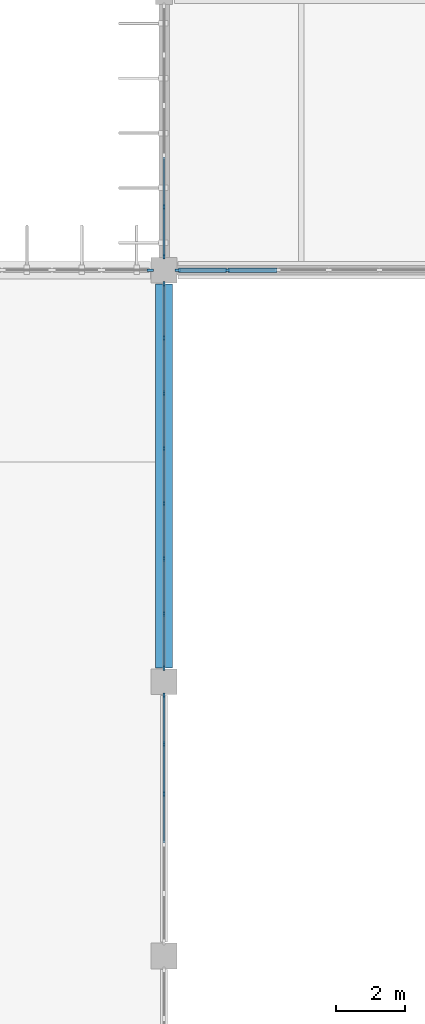
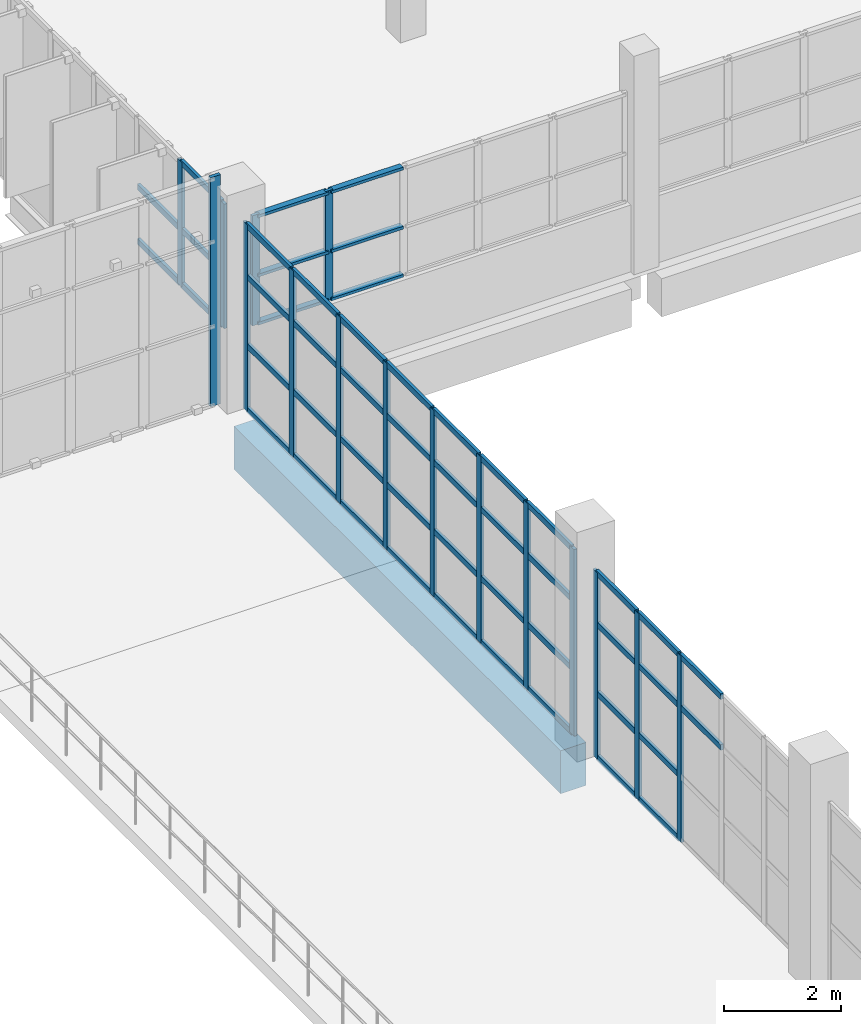
# One storey, part 31 of 93: 65 members, 1 beam, 5 elements without a shape of their own.
"""IFC4 building model written with IfcOpenShell, lengths in metres."""

import ifcopenshell
import ifcopenshell.guid

model = None  # the IFC model being written
_history = None  # IfcOwnerHistory: only IFC2X3 demands one
_inside = {}  # id of a spatial element -> (the spatial element, [elements in it])
_under = {}  # id of a project, library or spatial element -> (it, [spatial elements below it])
_declared = {}  # id of a project -> (the project, [libraries it declares])
_typed = {}  # id of a type object -> (the type object, [elements of that type])
_made_of = {}  # id of a material, layer set ... -> (it, [elements and type objects made of it])


def new_model(schema):
    """Start an empty IFC model of exactly this schema.

    Asked for "IFC4X3", IfcOpenShell would pick the latest addendum, in which some entities
    have other attributes; the version numbers below select the first issue.
    IFC2X3 requires an IfcOwnerHistory on every rooted entity: one is made here for all.
    """
    global model, _history
    if schema == "IFC4X3":
        model = ifcopenshell.file(schema_version=(4, 3, 0, 0))
    else:
        model = ifcopenshell.file(schema=schema)
    _inside.clear()
    _under.clear()
    _declared.clear()
    _typed.clear()
    _made_of.clear()
    _history = None
    if model.schema == "IFC2X3":
        org = make("IfcOrganization", Name="unknown")
        user = make(
            "IfcPersonAndOrganization",
            ThePerson=make("IfcPerson", FamilyName="unknown"),
            TheOrganization=org,
        )
        app = make(
            "IfcApplication",
            ApplicationDeveloper=org,
            Version="unknown",
            ApplicationFullName="unknown",
            ApplicationIdentifier="unknown",
        )
        _history = make(
            "IfcOwnerHistory",
            OwningUser=user,
            OwningApplication=app,
            ChangeAction="ADDED",
            CreationDate=0,
        )
    return model


def make(cls, **values):
    """One entity of the class cls with the attributes given. An attribute that is None is left unset."""
    return model.create_entity(
        cls, **{name: value for name, value in values.items() if value is not None}
    )


def rooted(cls, **values):
    """An entity with a GlobalId (a new one), such as an element, a storey or a relation."""
    return make(cls, GlobalId=ifcopenshell.guid.new(), OwnerHistory=_history, **values)


def si_unit(unit_type, name, prefix=None):
    """IfcSIUnit, for example si_unit("LENGTHUNIT", "METRE", prefix="MILLI")."""
    return make("IfcSIUnit", UnitType=unit_type, Prefix=prefix, Name=name)


def assignment(units):
    """IfcUnitAssignment: the units of a project."""
    return None if units is None else make("IfcUnitAssignment", Units=units)


def point(xyz):
    """IfcCartesianPoint."""
    return None if xyz is None else make("IfcCartesianPoint", Coordinates=xyz)


def direction(xyz):
    """IfcDirection."""
    return None if xyz is None else make("IfcDirection", DirectionRatios=xyz)


def frame(location, z_axis=None, x_axis=None):
    """IfcAxis2Placement3D, a coordinate frame: its origin and axes. An axis left out is left unset."""
    return make(
        "IfcAxis2Placement3D",
        Location=point(location),
        Axis=direction(z_axis),
        RefDirection=direction(x_axis),
    )


def frame_2d(location, x_axis=None):
    """IfcAxis2Placement2D, a coordinate frame in the plane: its origin and x axis."""
    return make(
        "IfcAxis2Placement2D", Location=point(location), RefDirection=direction(x_axis)
    )


def origin():
    """The frame at (0, 0, 0) with its axes left unset."""
    return frame((0.0, 0.0, 0.0))


def origin_2d():
    """The frame at (0, 0) in the plane with its x axis left unset."""
    return frame_2d((0.0, 0.0))


def place(relative_to, where):
    """IfcLocalPlacement: puts the frame where relative to a parent placement (None: the world)."""
    return make(
        "IfcLocalPlacement", PlacementRelTo=relative_to, RelativePlacement=where
    )


def context(
    kind, dimensions, precision=None, world=None, true_north=None, identifier=None
):
    """IfcGeometricRepresentationContext, for example the 3D "Model" context."""
    return make(
        "IfcGeometricRepresentationContext",
        ContextIdentifier=identifier,
        ContextType=kind,
        CoordinateSpaceDimension=dimensions,
        Precision=precision,
        WorldCoordinateSystem=world,
        TrueNorth=true_north,
    )


def subcontext(parent, identifier, kind, view, scale=None):
    """IfcGeometricRepresentationSubContext, for example "Body" below "Model"."""
    return make(
        "IfcGeometricRepresentationSubContext",
        ContextIdentifier=identifier,
        ContextType=kind,
        ParentContext=parent,
        TargetScale=scale,
        TargetView=view,
    )


def project(units=None, contexts=None):
    """IfcProject with its units and contexts."""
    return rooted(
        "IfcProject",
        Name="project",
        RepresentationContexts=contexts,
        UnitsInContext=assignment(units),
    )


def spatial(cls, under=None, at=None, **own):
    """A site, building, storey or space (cls), placed at a placement, below another one or the project."""
    s = rooted(cls, ObjectPlacement=at, **own)
    if under is not None:
        _under.setdefault(under.id(), (under, []))[1].append(s)
    return s


def profile(cls, at=None, kind="AREA", **sizes):
    """A parametric profile (cls). Its sizes go by their IFC names, for example OverallWidth=200.0."""
    return make(cls, ProfileType=kind, Position=at, **sizes)


def rectangle(**sizes):
    """IfcRectangleProfileDef."""
    return profile("IfcRectangleProfileDef", **sizes)


def extrude(swept, where, along, depth):
    """IfcExtrudedAreaSolid: the profile swept, set in the frame where, extruded along a direction by depth."""
    return make(
        "IfcExtrudedAreaSolid",
        SweptArea=swept,
        Position=where,
        ExtrudedDirection=direction(along),
        Depth=depth,
    )


def shape(context_of_items, identifier, shape_type, items):
    """IfcShapeRepresentation: the items that make up one representation, for example the "Body"."""
    return make(
        "IfcShapeRepresentation",
        ContextOfItems=context_of_items,
        RepresentationIdentifier=identifier,
        RepresentationType=shape_type,
        Items=items,
    )


def material(Name=None, Category=None):
    """IfcMaterial."""
    return make("IfcMaterial", Name=Name, Category=Category)


def layer(
    of_material, thickness, ventilated=None, Name=None, Category=None, Priority=None
):
    """IfcMaterialLayer: one layer of a wall or slab, of a material (None: an air gap)."""
    return make(
        "IfcMaterialLayer",
        Material=of_material,
        LayerThickness=thickness,
        IsVentilated=ventilated,
        Name=Name,
        Category=Category,
        Priority=Priority,
    )


def layer_set(layers, Name=None):
    """IfcMaterialLayerSet."""
    return make("IfcMaterialLayerSet", MaterialLayers=layers, LayerSetName=Name)


def material_profile(
    of_material, cross_section, Name=None, Category=None, Priority=None
):
    """IfcMaterialProfile: a cross section and its material."""
    return make(
        "IfcMaterialProfile",
        Name=Name,
        Material=of_material,
        Profile=cross_section,
        Priority=Priority,
        Category=Category,
    )


def profile_set(profiles, Name=None, composite=None):
    """IfcMaterialProfileSet."""
    return make(
        "IfcMaterialProfileSet",
        Name=Name,
        MaterialProfiles=profiles,
        CompositeProfile=composite,
    )


def made_of(thing, what):
    """Note that an element or type object is made of a material, layer set ...; save() writes the relation."""
    if what is not None:
        _made_of.setdefault(what.id(), (what, []))[1].append(thing)
    return thing


def type_object(cls, material=None, **own):
    """A type object (cls), such as IfcWallType, which elements share."""
    return made_of(rooted(cls, **own), material)


def element(
    cls,
    number,
    at=None,
    inside=None,
    cuts=None,
    type_object=None,
    material=None,
    context=None,
    identifier="Body",
    shape_type=None,
    held_by="IfcProductDefinitionShape",
    body=None,
    shapes=None,
    **own,
):
    """One element of the class cls, such as IfcWall. Its Tag is "e" and its number.

    at: its placement. inside: the storey or other place that contains it. cuts: it is an
    opening in that element (IfcRelVoidsElement). A single representation is given by context,
    identifier, shape_type and body (its items); several are given by shapes. held_by: the class
    of the entity that holds the representations. save() writes the other relations.
    """
    e = rooted(cls, Tag="e%d" % number, ObjectPlacement=at, **own)
    if body is not None:
        shapes = [shape(context, identifier, shape_type, body)]
    if shapes is not None:
        e.Representation = make(held_by, Representations=shapes)
    if inside is not None:
        _inside.setdefault(inside.id(), (inside, []))[1].append(e)
    if cuts is not None:
        rooted(
            "IfcRelVoidsElement", RelatingBuildingElement=cuts, RelatedOpeningElement=e
        )
    if type_object is not None:
        _typed.setdefault(type_object.id(), (type_object, []))[1].append(e)
    return made_of(e, material)


def aggregate(whole, parts):
    """IfcRelAggregates: a whole, such as a stair, and the parts it consists of."""
    return rooted("IfcRelAggregates", RelatingObject=whole, RelatedObjects=parts)


def save(model, path):
    """Write the relations noted so far, then the file.

    IfcRelAggregates (storeys below a building ...), IfcRelContainedInSpatialStructure (elements
    in a storey), IfcRelDefinesByType, IfcRelAssociatesMaterial and IfcRelDeclares: one each for
    every whole, place, type object, material and project.
    """
    for whole, parts in _under.values():
        aggregate(whole, parts)
    for where, things in _inside.values():
        rooted(
            "IfcRelContainedInSpatialStructure",
            RelatedElements=things,
            RelatingStructure=where,
        )
    for kind, things in _typed.values():
        rooted("IfcRelDefinesByType", RelatedObjects=things, RelatingType=kind)
    for what, things in _made_of.values():
        rooted("IfcRelAssociatesMaterial", RelatedObjects=things, RelatingMaterial=what)
    for by, libraries in _declared.values():
        rooted("IfcRelDeclares", RelatingContext=by, RelatedDefinitions=libraries)
    model.write(path)


model = new_model("IFC4")

# Units and contexts
model_context = context("Model", 3, precision=1e-05, world=origin(), true_north=direction((0.0, 1.0)))
body_context = subcontext(model_context, "Body", "Model", "MODEL_VIEW")
ifc_project = project(units=[si_unit("LENGTHUNIT", "METRE"), si_unit("AREAUNIT", "SQUARE_METRE"), si_unit("VOLUMEUNIT", "CUBIC_METRE"), si_unit("PLANEANGLEUNIT", "RADIAN"), si_unit("MASSUNIT", "GRAM", prefix="KILO")], contexts=[model_context])

# Site, building, storey
site_placement = place(None, origin())
site = spatial("IfcSite", under=ifc_project, at=site_placement, CompositionType="ELEMENT")
building_placement = place(site_placement, origin())
building = spatial("IfcBuilding", under=site, at=building_placement, Name="Drelvana Railside Aquatics Centre", CompositionType="ELEMENT")
storey_placement = place(building_placement, frame((0.0, 0.0, 5.39990234375)))
storey = spatial("IfcBuildingStorey", under=building, at=storey_placement, Name="L01", CompositionType="ELEMENT", Elevation=5.39990234375)

# Curtain wall, member
ifc_material_1 = material(Name="Bronze-anodised aluminium curtain wall", Category="aluminium")
ifc_layer_1 = layer(ifc_material_1, 0.179931640625, Name="Bronze-anodised aluminium curtain wall")
ifc_layer_set_1 = layer_set([ifc_layer_1], Name="Bronze-anodised aluminium curtain wall")
curtain_wall_type_1 = type_object("IfcCurtainWallType", Name="CW-Z2-CLER", PredefinedType="NOTDEFINED", material=ifc_layer_set_1)
curtain_wall_1_placement = place(storey_placement, origin())
curtain_wall_1 = element("IfcCurtainWall", 1, at=curtain_wall_1_placement, inside=storey, type_object=curtain_wall_type_1, Name="Curtain wall CW-02-026", PredefinedType="NOTDEFINED")
ifc_material_2 = material(Name="Bronze-anodised aluminium 6063-T6", Category="aluminium")
ifc_material_profile_1 = material_profile(ifc_material_2, rectangle(XDim=0.070068359375, YDim=0.199951171875, at=origin_2d()), Name="ALU-M 70x200")
ifc_profile_set_1 = profile_set([ifc_material_profile_1], Name="Bronze-anodised aluminium 6063-T6")
member_type_1 = type_object("IfcMemberType", Name="CW-Z2-CLER-MUL", PredefinedType="MULLION", material=ifc_profile_set_1)
member_1_placement = place(storey_placement, frame((95.595947265625, 84.0, -0.005859375), z_axis=(0.0, 0.0, 1.0), x_axis=(0.0, 1.0, 0.0)))
member_1 = element("IfcMember", 2, at=member_1_placement, type_object=member_type_1, Name="CW-02 mullion 6", PredefinedType="MULLION", context=body_context, shape_type="SweptSolid", body=[
    extrude(rectangle(XDim=0.070068359375, YDim=0.199951171875, at=origin_2d()), origin(), (0.0, 0.0, 1.0), 4.7958984375),
])
aggregate(curtain_wall_1, [member_1])

# Curtain wall, members
ifc_layer_2 = layer(ifc_material_1, 0.1650390625, Name="Bronze-anodised aluminium curtain wall")
ifc_layer_set_2 = layer_set([ifc_layer_2], Name="Bronze-anodised aluminium curtain wall")
curtain_wall_type_2 = type_object("IfcCurtainWallType", Name="CW-Z5-COURT", PredefinedType="NOTDEFINED", material=ifc_layer_set_2)
curtain_wall_2_placement = place(storey_placement, origin())
curtain_wall_2 = element("IfcCurtainWall", 3, at=curtain_wall_2_placement, inside=storey, type_object=curtain_wall_type_2, Name="Curtain wall CW-05-075", PredefinedType="NOTDEFINED")
ifc_material_profile_2 = material_profile(ifc_material_2, rectangle(XDim=0.06005859375, YDim=0.14990234375, at=origin_2d()), Name="ALU-M 60x150")
ifc_profile_set_2 = profile_set([ifc_material_profile_2], Name="Bronze-anodised aluminium 6063-T6")
member_type_2 = type_object("IfcMemberType", Name="CW-Z5-COURT-MUL", PredefinedType="MULLION", material=ifc_profile_set_2)
member_2_placement = place(storey_placement, frame((96.0, 68.726318359375, -0.005859375), z_axis=(0.0, 0.0, 1.0), x_axis=(-1.0, 0.0, 0.0)))
member_2 = element("IfcMember", 4, at=member_2_placement, type_object=member_type_2, Name="CW-05 mullion 4", PredefinedType="MULLION", context=body_context, shape_type="SweptSolid", body=[
    extrude(rectangle(XDim=0.06005859375, YDim=0.14990234375, at=origin_2d()), origin(), (0.0, 0.0, 1.0), 3.906005859375),
])
member_3_placement = place(storey_placement, frame((96.0, 70.1787109375, -0.005859375), z_axis=(0.0, 0.0, 1.0), x_axis=(-1.0, 0.0, 0.0)))
member_3 = element("IfcMember", 5, at=member_3_placement, type_object=member_type_2, Name="CW-05 mullion 5", PredefinedType="MULLION", context=body_context, shape_type="SweptSolid", body=[
    extrude(rectangle(XDim=0.06005859375, YDim=0.14990234375, at=origin_2d()), origin(), (0.0, 0.0, 1.0), 3.906005859375),
])
member_4_placement = place(storey_placement, frame((96.0, 71.60107421875, -0.005859375), z_axis=(0.0, 0.0, 1.0), x_axis=(-1.0, 0.0, 0.0)))
member_4 = element("IfcMember", 6, at=member_4_placement, type_object=member_type_2, Name="CW-05 mullion 6", PredefinedType="MULLION", context=body_context, shape_type="SweptSolid", body=[
    extrude(rectangle(XDim=0.06005859375, YDim=0.14990234375, at=origin_2d()), origin(), (0.0, 0.0, 1.0), 3.906005859375),
])

curtain_wall_3_placement = place(storey_placement, origin())
curtain_wall_3 = element("IfcCurtainWall", 7, at=curtain_wall_3_placement, inside=storey, type_object=curtain_wall_type_2, Name="Curtain wall CW-05-079", PredefinedType="NOTDEFINED")
member_5_placement = place(storey_placement, frame((96.0, 72.39892578125, -0.005859375), z_axis=(0.0, 0.0, 1.0), x_axis=(-1.0, 0.0, 0.0)))
member_5 = element("IfcMember", 8, at=member_5_placement, type_object=member_type_2, Name="CW-05 mullion 1", PredefinedType="MULLION", context=body_context, shape_type="SweptSolid", body=[
    extrude(rectangle(XDim=0.06005859375, YDim=0.14990234375, at=origin_2d()), origin(), (0.0, 0.0, 1.0), 3.906005859375),
])
member_6_placement = place(storey_placement, frame((96.0, 73.977783203125, -0.005859375), z_axis=(0.0, 0.0, 1.0), x_axis=(-1.0, 0.0, 0.0)))
member_6 = element("IfcMember", 9, at=member_6_placement, type_object=member_type_2, Name="CW-05 mullion 2", PredefinedType="MULLION", context=body_context, shape_type="SweptSolid", body=[
    extrude(rectangle(XDim=0.06005859375, YDim=0.14990234375, at=origin_2d()), origin(), (0.0, 0.0, 1.0), 3.906005859375),
])
member_7_placement = place(storey_placement, frame((96.0, 75.586669921875, -0.005859375), z_axis=(0.0, 0.0, 1.0), x_axis=(-1.0, 0.0, 0.0)))
member_7 = element("IfcMember", 10, at=member_7_placement, type_object=member_type_2, Name="CW-05 mullion 3", PredefinedType="MULLION", context=body_context, shape_type="SweptSolid", body=[
    extrude(rectangle(XDim=0.06005859375, YDim=0.14990234375, at=origin_2d()), origin(), (0.0, 0.0, 1.0), 3.906005859375),
])
member_8_placement = place(storey_placement, frame((96.0, 77.195556640625, -0.005859375), z_axis=(0.0, 0.0, 1.0), x_axis=(-1.0, 0.0, 0.0)))
member_8 = element("IfcMember", 11, at=member_8_placement, type_object=member_type_2, Name="CW-05 mullion 4", PredefinedType="MULLION", context=body_context, shape_type="SweptSolid", body=[
    extrude(rectangle(XDim=0.06005859375, YDim=0.14990234375, at=origin_2d()), origin(), (0.0, 0.0, 1.0), 3.906005859375),
])
member_9_placement = place(storey_placement, frame((96.0, 78.804443359375, -0.005859375), z_axis=(0.0, 0.0, 1.0), x_axis=(-1.0, 0.0, 0.0)))
member_9 = element("IfcMember", 12, at=member_9_placement, type_object=member_type_2, Name="CW-05 mullion 5", PredefinedType="MULLION", context=body_context, shape_type="SweptSolid", body=[
    extrude(rectangle(XDim=0.06005859375, YDim=0.14990234375, at=origin_2d()), origin(), (0.0, 0.0, 1.0), 3.906005859375),
])
member_10_placement = place(storey_placement, frame((96.0, 80.413330078125, -0.005859375), z_axis=(0.0, 0.0, 1.0), x_axis=(-1.0, 0.0, 0.0)))
member_10 = element("IfcMember", 13, at=member_10_placement, type_object=member_type_2, Name="CW-05 mullion 6", PredefinedType="MULLION", context=body_context, shape_type="SweptSolid", body=[
    extrude(rectangle(XDim=0.06005859375, YDim=0.14990234375, at=origin_2d()), origin(), (0.0, 0.0, 1.0), 3.906005859375),
])
member_11_placement = place(storey_placement, frame((96.0, 82.022216796875, -0.005859375), z_axis=(0.0, 0.0, 1.0), x_axis=(-1.0, 0.0, 0.0)))
member_11 = element("IfcMember", 14, at=member_11_placement, type_object=member_type_2, Name="CW-05 mullion 7", PredefinedType="MULLION", context=body_context, shape_type="SweptSolid", body=[
    extrude(rectangle(XDim=0.06005859375, YDim=0.14990234375, at=origin_2d()), origin(), (0.0, 0.0, 1.0), 3.906005859375),
])
member_12_placement = place(storey_placement, frame((96.0, 83.60107421875, -0.005859375), z_axis=(0.0, 0.0, 1.0), x_axis=(-1.0, 0.0, 0.0)))
member_12 = element("IfcMember", 15, at=member_12_placement, type_object=member_type_2, Name="CW-05 mullion 8", PredefinedType="MULLION", context=body_context, shape_type="SweptSolid", body=[
    extrude(rectangle(XDim=0.06005859375, YDim=0.14990234375, at=origin_2d()), origin(), (0.0, 0.0, 1.0), 3.906005859375),
])

curtain_wall_4_placement = place(storey_placement, origin())
curtain_wall_4 = element("IfcCurtainWall", 16, at=curtain_wall_4_placement, inside=storey, type_object=curtain_wall_type_2, Name="Curtain wall CW-05-116", PredefinedType="NOTDEFINED")
member_13_placement = place(storey_placement, frame((96.39892578125, 84.0, 1.39404296875), z_axis=(0.0, 0.0, 1.0), x_axis=(0.0, 1.0, 0.0)))
member_13 = element("IfcMember", 17, at=member_13_placement, type_object=member_type_2, Name="CW-05 mullion 1", PredefinedType="MULLION", context=body_context, shape_type="SweptSolid", body=[
    extrude(rectangle(XDim=0.06005859375, YDim=0.14990234375, at=origin_2d()), origin(), (0.0, 0.0, 1.0), 2.30615234375),
])
member_14_placement = place(storey_placement, frame((97.846435546875, 84.0, 1.39404296875), z_axis=(0.0, 0.0, 1.0), x_axis=(0.0, 1.0, 0.0)))
member_14 = element("IfcMember", 18, at=member_14_placement, type_object=member_type_2, Name="CW-05 mullion 2", PredefinedType="MULLION", context=body_context, shape_type="SweptSolid", body=[
    extrude(rectangle(XDim=0.06005859375, YDim=0.14990234375, at=origin_2d()), origin(), (0.0, 0.0, 1.0), 2.30615234375),
])

curtain_wall_5_placement = place(storey_placement, origin())
curtain_wall_5 = element("IfcCurtainWall", 19, at=curtain_wall_5_placement, inside=storey, type_object=curtain_wall_type_2, Name="Curtain wall CW-05-128", PredefinedType="NOTDEFINED")
member_15_placement = place(storey_placement, frame((96.0, 84.39892578125, 1.244140625), z_axis=(0.0, 0.0, 1.0), x_axis=(-1.0, 0.0, 0.0)))
member_15 = element("IfcMember", 20, at=member_15_placement, type_object=member_type_2, Name="CW-05 mullion 1", PredefinedType="MULLION", context=body_context, shape_type="SweptSolid", body=[
    extrude(rectangle(XDim=0.06005859375, YDim=0.14990234375, at=origin_2d()), origin(), (0.0, 0.0, 1.0), 2.60595703125),
])
member_16_placement = place(storey_placement, frame((96.0, 85.846435546875, 1.244140625), z_axis=(0.0, 0.0, 1.0), x_axis=(-1.0, 0.0, 0.0)))
member_16 = element("IfcMember", 21, at=member_16_placement, type_object=member_type_2, Name="CW-05 mullion 2", PredefinedType="MULLION", context=body_context, shape_type="SweptSolid", body=[
    extrude(rectangle(XDim=0.06005859375, YDim=0.14990234375, at=origin_2d()), origin(), (0.0, 0.0, 1.0), 2.60595703125),
])

# Member
ifc_material_profile_3 = material_profile(ifc_material_2, rectangle(XDim=0.1201171875, YDim=0.06005859375, at=origin_2d()), Name="ALU-T 60x120")
ifc_profile_set_3 = profile_set([ifc_material_profile_3], Name="Bronze-anodised aluminium 6063-T6")
member_type_3 = type_object("IfcMemberType", Name="CW-Z5-COURT-TRN", PredefinedType="USERDEFINED", material=ifc_profile_set_3)
member_17_placement = place(storey_placement, frame((96.0, 67.298828125, 2.80615234375), z_axis=(0.0, 1.0, 0.0), x_axis=(0.0, 0.0, 1.0)))
member_17 = element("IfcMember", 22, at=member_17_placement, type_object=member_type_3, Name="CW-05 transom 3.3", ObjectType="TRANSOM", PredefinedType="USERDEFINED", context=body_context, shape_type="SweptSolid", body=[
    extrude(rectangle(XDim=0.1201171875, YDim=0.06005859375, at=origin_2d()), origin(), (0.0, 0.0, 1.0), 1.40234375),
])

member_18_placement = place(storey_placement, frame((96.0, 67.298828125, 3.8701171875), z_axis=(0.0, 1.0, 0.0), x_axis=(0.0, 0.0, 1.0)))
member_18 = element("IfcMember", 23, at=member_18_placement, type_object=member_type_3, Name="CW-05 transom 3.4", ObjectType="TRANSOM", PredefinedType="USERDEFINED", context=body_context, shape_type="SweptSolid", body=[
    extrude(rectangle(XDim=0.1201171875, YDim=0.06005859375, at=origin_2d()), origin(), (0.0, 0.0, 1.0), 1.40234375),
])

member_19_placement = place(storey_placement, frame((96.0, 68.751220703125, 0.024169921875), z_axis=(0.0, 1.0, 0.0), x_axis=(0.0, 0.0, 1.0)))
member_19 = element("IfcMember", 24, at=member_19_placement, type_object=member_type_3, Name="CW-05 transom 4.1", ObjectType="TRANSOM", PredefinedType="USERDEFINED", context=body_context, shape_type="SweptSolid", body=[
    extrude(rectangle(XDim=0.1201171875, YDim=0.06005859375, at=origin_2d()), origin(), (0.0, 0.0, 1.0), 1.40234375),
])

member_20_placement = place(storey_placement, frame((96.0, 68.751220703125, 1.361083984375), z_axis=(0.0, 1.0, 0.0), x_axis=(0.0, 0.0, 1.0)))
member_20 = element("IfcMember", 25, at=member_20_placement, type_object=member_type_3, Name="CW-05 transom 4.2", ObjectType="TRANSOM", PredefinedType="USERDEFINED", context=body_context, shape_type="SweptSolid", body=[
    extrude(rectangle(XDim=0.1201171875, YDim=0.06005859375, at=origin_2d()), origin(), (0.0, 0.0, 1.0), 1.40234375),
])

member_21_placement = place(storey_placement, frame((96.0, 68.751220703125, 2.80615234375), z_axis=(0.0, 1.0, 0.0), x_axis=(0.0, 0.0, 1.0)))
member_21 = element("IfcMember", 26, at=member_21_placement, type_object=member_type_3, Name="CW-05 transom 4.3", ObjectType="TRANSOM", PredefinedType="USERDEFINED", context=body_context, shape_type="SweptSolid", body=[
    extrude(rectangle(XDim=0.1201171875, YDim=0.06005859375, at=origin_2d()), origin(), (0.0, 0.0, 1.0), 1.40234375),
])

member_22_placement = place(storey_placement, frame((96.0, 68.751220703125, 3.8701171875), z_axis=(0.0, 1.0, 0.0), x_axis=(0.0, 0.0, 1.0)))
member_22 = element("IfcMember", 27, at=member_22_placement, type_object=member_type_3, Name="CW-05 transom 4.4", ObjectType="TRANSOM", PredefinedType="USERDEFINED", context=body_context, shape_type="SweptSolid", body=[
    extrude(rectangle(XDim=0.1201171875, YDim=0.06005859375, at=origin_2d()), origin(), (0.0, 0.0, 1.0), 1.40234375),
])

member_23_placement = place(storey_placement, frame((96.0, 70.20361328125, 0.024169921875), z_axis=(0.0, 1.0, 0.0), x_axis=(0.0, 0.0, 1.0)))
member_23 = element("IfcMember", 28, at=member_23_placement, type_object=member_type_3, Name="CW-05 transom 5.1", ObjectType="TRANSOM", PredefinedType="USERDEFINED", context=body_context, shape_type="SweptSolid", body=[
    extrude(rectangle(XDim=0.1201171875, YDim=0.06005859375, at=origin_2d()), origin(), (0.0, 0.0, 1.0), 1.372314453125),
])

member_24_placement = place(storey_placement, frame((96.0, 70.20361328125, 1.361083984375), z_axis=(0.0, 1.0, 0.0), x_axis=(0.0, 0.0, 1.0)))
member_24 = element("IfcMember", 29, at=member_24_placement, type_object=member_type_3, Name="CW-05 transom 5.2", ObjectType="TRANSOM", PredefinedType="USERDEFINED", context=body_context, shape_type="SweptSolid", body=[
    extrude(rectangle(XDim=0.1201171875, YDim=0.06005859375, at=origin_2d()), origin(), (0.0, 0.0, 1.0), 1.372314453125),
])

member_25_placement = place(storey_placement, frame((96.0, 70.20361328125, 2.80615234375), z_axis=(0.0, 1.0, 0.0), x_axis=(0.0, 0.0, 1.0)))
member_25 = element("IfcMember", 30, at=member_25_placement, type_object=member_type_3, Name="CW-05 transom 5.3", ObjectType="TRANSOM", PredefinedType="USERDEFINED", context=body_context, shape_type="SweptSolid", body=[
    extrude(rectangle(XDim=0.1201171875, YDim=0.06005859375, at=origin_2d()), origin(), (0.0, 0.0, 1.0), 1.372314453125),
])

member_26_placement = place(storey_placement, frame((96.0, 70.20361328125, 3.8701171875), z_axis=(0.0, 1.0, 0.0), x_axis=(0.0, 0.0, 1.0)))
member_26 = element("IfcMember", 31, at=member_26_placement, type_object=member_type_3, Name="CW-05 transom 5.4", ObjectType="TRANSOM", PredefinedType="USERDEFINED", context=body_context, shape_type="SweptSolid", body=[
    extrude(rectangle(XDim=0.1201171875, YDim=0.06005859375, at=origin_2d()), origin(), (0.0, 0.0, 1.0), 1.372314453125),
])

aggregate(curtain_wall_2, [member_2, member_3, member_4, member_17, member_18, member_19, member_20, member_21, member_22, member_23, member_24, member_25, member_26])

member_27_placement = place(storey_placement, frame((96.0, 72.424072265625, 0.024169921875), z_axis=(0.0, 1.0, 0.0), x_axis=(0.0, 0.0, 1.0)))
member_27 = element("IfcMember", 32, at=member_27_placement, type_object=member_type_3, Name="CW-05 transom 1.1", ObjectType="TRANSOM", PredefinedType="USERDEFINED", context=body_context, shape_type="SweptSolid", body=[
    extrude(rectangle(XDim=0.1201171875, YDim=0.06005859375, at=origin_2d()), origin(), (0.0, 0.0, 1.0), 1.52880859375),
])

member_28_placement = place(storey_placement, frame((96.0, 72.424072265625, 1.361083984375), z_axis=(0.0, 1.0, 0.0), x_axis=(0.0, 0.0, 1.0)))
member_28 = element("IfcMember", 33, at=member_28_placement, type_object=member_type_3, Name="CW-05 transom 1.2", ObjectType="TRANSOM", PredefinedType="USERDEFINED", context=body_context, shape_type="SweptSolid", body=[
    extrude(rectangle(XDim=0.1201171875, YDim=0.06005859375, at=origin_2d()), origin(), (0.0, 0.0, 1.0), 1.52880859375),
])

member_29_placement = place(storey_placement, frame((96.0, 72.424072265625, 2.80615234375), z_axis=(0.0, 1.0, 0.0), x_axis=(0.0, 0.0, 1.0)))
member_29 = element("IfcMember", 34, at=member_29_placement, type_object=member_type_3, Name="CW-05 transom 1.3", ObjectType="TRANSOM", PredefinedType="USERDEFINED", context=body_context, shape_type="SweptSolid", body=[
    extrude(rectangle(XDim=0.1201171875, YDim=0.06005859375, at=origin_2d()), origin(), (0.0, 0.0, 1.0), 1.52880859375),
])

member_30_placement = place(storey_placement, frame((96.0, 72.424072265625, 3.8701171875), z_axis=(0.0, 1.0, 0.0), x_axis=(0.0, 0.0, 1.0)))
member_30 = element("IfcMember", 35, at=member_30_placement, type_object=member_type_3, Name="CW-05 transom 1.4", ObjectType="TRANSOM", PredefinedType="USERDEFINED", context=body_context, shape_type="SweptSolid", body=[
    extrude(rectangle(XDim=0.1201171875, YDim=0.06005859375, at=origin_2d()), origin(), (0.0, 0.0, 1.0), 1.52880859375),
])

member_31_placement = place(storey_placement, frame((96.0, 74.0029296875, 0.024169921875), z_axis=(0.0, 1.0, 0.0), x_axis=(0.0, 0.0, 1.0)))
member_31 = element("IfcMember", 36, at=member_31_placement, type_object=member_type_3, Name="CW-05 transom 2.1", ObjectType="TRANSOM", PredefinedType="USERDEFINED", context=body_context, shape_type="SweptSolid", body=[
    extrude(rectangle(XDim=0.1201171875, YDim=0.06005859375, at=origin_2d()), origin(), (0.0, 0.0, 1.0), 1.558837890625),
])

member_32_placement = place(storey_placement, frame((96.0, 74.0029296875, 1.361083984375), z_axis=(0.0, 1.0, 0.0), x_axis=(0.0, 0.0, 1.0)))
member_32 = element("IfcMember", 37, at=member_32_placement, type_object=member_type_3, Name="CW-05 transom 2.2", ObjectType="TRANSOM", PredefinedType="USERDEFINED", context=body_context, shape_type="SweptSolid", body=[
    extrude(rectangle(XDim=0.1201171875, YDim=0.06005859375, at=origin_2d()), origin(), (0.0, 0.0, 1.0), 1.558837890625),
])

member_33_placement = place(storey_placement, frame((96.0, 74.0029296875, 2.80615234375), z_axis=(0.0, 1.0, 0.0), x_axis=(0.0, 0.0, 1.0)))
member_33 = element("IfcMember", 38, at=member_33_placement, type_object=member_type_3, Name="CW-05 transom 2.3", ObjectType="TRANSOM", PredefinedType="USERDEFINED", context=body_context, shape_type="SweptSolid", body=[
    extrude(rectangle(XDim=0.1201171875, YDim=0.06005859375, at=origin_2d()), origin(), (0.0, 0.0, 1.0), 1.558837890625),
])

member_34_placement = place(storey_placement, frame((96.0, 74.0029296875, 3.8701171875), z_axis=(0.0, 1.0, 0.0), x_axis=(0.0, 0.0, 1.0)))
member_34 = element("IfcMember", 39, at=member_34_placement, type_object=member_type_3, Name="CW-05 transom 2.4", ObjectType="TRANSOM", PredefinedType="USERDEFINED", context=body_context, shape_type="SweptSolid", body=[
    extrude(rectangle(XDim=0.1201171875, YDim=0.06005859375, at=origin_2d()), origin(), (0.0, 0.0, 1.0), 1.558837890625),
])

member_35_placement = place(storey_placement, frame((96.0, 75.61181640625, 0.024169921875), z_axis=(0.0, 1.0, 0.0), x_axis=(0.0, 0.0, 1.0)))
member_35 = element("IfcMember", 40, at=member_35_placement, type_object=member_type_3, Name="CW-05 transom 3.1", ObjectType="TRANSOM", PredefinedType="USERDEFINED", context=body_context, shape_type="SweptSolid", body=[
    extrude(rectangle(XDim=0.1201171875, YDim=0.06005859375, at=origin_2d()), origin(), (0.0, 0.0, 1.0), 1.558837890625),
])

member_36_placement = place(storey_placement, frame((96.0, 75.61181640625, 1.361083984375), z_axis=(0.0, 1.0, 0.0), x_axis=(0.0, 0.0, 1.0)))
member_36 = element("IfcMember", 41, at=member_36_placement, type_object=member_type_3, Name="CW-05 transom 3.2", ObjectType="TRANSOM", PredefinedType="USERDEFINED", context=body_context, shape_type="SweptSolid", body=[
    extrude(rectangle(XDim=0.1201171875, YDim=0.06005859375, at=origin_2d()), origin(), (0.0, 0.0, 1.0), 1.558837890625),
])

member_37_placement = place(storey_placement, frame((96.0, 75.61181640625, 2.80615234375), z_axis=(0.0, 1.0, 0.0), x_axis=(0.0, 0.0, 1.0)))
member_37 = element("IfcMember", 42, at=member_37_placement, type_object=member_type_3, Name="CW-05 transom 3.3", ObjectType="TRANSOM", PredefinedType="USERDEFINED", context=body_context, shape_type="SweptSolid", body=[
    extrude(rectangle(XDim=0.1201171875, YDim=0.06005859375, at=origin_2d()), origin(), (0.0, 0.0, 1.0), 1.558837890625),
])

member_38_placement = place(storey_placement, frame((96.0, 75.61181640625, 3.8701171875), z_axis=(0.0, 1.0, 0.0), x_axis=(0.0, 0.0, 1.0)))
member_38 = element("IfcMember", 43, at=member_38_placement, type_object=member_type_3, Name="CW-05 transom 3.4", ObjectType="TRANSOM", PredefinedType="USERDEFINED", context=body_context, shape_type="SweptSolid", body=[
    extrude(rectangle(XDim=0.1201171875, YDim=0.06005859375, at=origin_2d()), origin(), (0.0, 0.0, 1.0), 1.558837890625),
])

member_39_placement = place(storey_placement, frame((96.0, 77.220458984375, 0.024169921875), z_axis=(0.0, 1.0, 0.0), x_axis=(0.0, 0.0, 1.0)))
member_39 = element("IfcMember", 44, at=member_39_placement, type_object=member_type_3, Name="CW-05 transom 4.1", ObjectType="TRANSOM", PredefinedType="USERDEFINED", context=body_context, shape_type="SweptSolid", body=[
    extrude(rectangle(XDim=0.1201171875, YDim=0.06005859375, at=origin_2d()), origin(), (0.0, 0.0, 1.0), 1.55908203125),
])

member_40_placement = place(storey_placement, frame((96.0, 77.220458984375, 1.361083984375), z_axis=(0.0, 1.0, 0.0), x_axis=(0.0, 0.0, 1.0)))
member_40 = element("IfcMember", 45, at=member_40_placement, type_object=member_type_3, Name="CW-05 transom 4.2", ObjectType="TRANSOM", PredefinedType="USERDEFINED", context=body_context, shape_type="SweptSolid", body=[
    extrude(rectangle(XDim=0.1201171875, YDim=0.06005859375, at=origin_2d()), origin(), (0.0, 0.0, 1.0), 1.55908203125),
])

member_41_placement = place(storey_placement, frame((96.0, 77.220458984375, 2.80615234375), z_axis=(0.0, 1.0, 0.0), x_axis=(0.0, 0.0, 1.0)))
member_41 = element("IfcMember", 46, at=member_41_placement, type_object=member_type_3, Name="CW-05 transom 4.3", ObjectType="TRANSOM", PredefinedType="USERDEFINED", context=body_context, shape_type="SweptSolid", body=[
    extrude(rectangle(XDim=0.1201171875, YDim=0.06005859375, at=origin_2d()), origin(), (0.0, 0.0, 1.0), 1.55908203125),
])

member_42_placement = place(storey_placement, frame((96.0, 77.220458984375, 3.8701171875), z_axis=(0.0, 1.0, 0.0), x_axis=(0.0, 0.0, 1.0)))
member_42 = element("IfcMember", 47, at=member_42_placement, type_object=member_type_3, Name="CW-05 transom 4.4", ObjectType="TRANSOM", PredefinedType="USERDEFINED", context=body_context, shape_type="SweptSolid", body=[
    extrude(rectangle(XDim=0.1201171875, YDim=0.06005859375, at=origin_2d()), origin(), (0.0, 0.0, 1.0), 1.55908203125),
])

member_43_placement = place(storey_placement, frame((96.0, 78.829345703125, 0.024169921875), z_axis=(0.0, 1.0, 0.0), x_axis=(0.0, 0.0, 1.0)))
member_43 = element("IfcMember", 48, at=member_43_placement, type_object=member_type_3, Name="CW-05 transom 5.1", ObjectType="TRANSOM", PredefinedType="USERDEFINED", context=body_context, shape_type="SweptSolid", body=[
    extrude(rectangle(XDim=0.1201171875, YDim=0.06005859375, at=origin_2d()), origin(), (0.0, 0.0, 1.0), 1.558837890625),
])

member_44_placement = place(storey_placement, frame((96.0, 78.829345703125, 1.361083984375), z_axis=(0.0, 1.0, 0.0), x_axis=(0.0, 0.0, 1.0)))
member_44 = element("IfcMember", 49, at=member_44_placement, type_object=member_type_3, Name="CW-05 transom 5.2", ObjectType="TRANSOM", PredefinedType="USERDEFINED", context=body_context, shape_type="SweptSolid", body=[
    extrude(rectangle(XDim=0.1201171875, YDim=0.06005859375, at=origin_2d()), origin(), (0.0, 0.0, 1.0), 1.558837890625),
])

member_45_placement = place(storey_placement, frame((96.0, 78.829345703125, 2.80615234375), z_axis=(0.0, 1.0, 0.0), x_axis=(0.0, 0.0, 1.0)))
member_45 = element("IfcMember", 50, at=member_45_placement, type_object=member_type_3, Name="CW-05 transom 5.3", ObjectType="TRANSOM", PredefinedType="USERDEFINED", context=body_context, shape_type="SweptSolid", body=[
    extrude(rectangle(XDim=0.1201171875, YDim=0.06005859375, at=origin_2d()), origin(), (0.0, 0.0, 1.0), 1.558837890625),
])

member_46_placement = place(storey_placement, frame((96.0, 78.829345703125, 3.8701171875), z_axis=(0.0, 1.0, 0.0), x_axis=(0.0, 0.0, 1.0)))
member_46 = element("IfcMember", 51, at=member_46_placement, type_object=member_type_3, Name="CW-05 transom 5.4", ObjectType="TRANSOM", PredefinedType="USERDEFINED", context=body_context, shape_type="SweptSolid", body=[
    extrude(rectangle(XDim=0.1201171875, YDim=0.06005859375, at=origin_2d()), origin(), (0.0, 0.0, 1.0), 1.558837890625),
])

member_47_placement = place(storey_placement, frame((96.0, 80.438232421875, 0.024169921875), z_axis=(0.0, 1.0, 0.0), x_axis=(0.0, 0.0, 1.0)))
member_47 = element("IfcMember", 52, at=member_47_placement, type_object=member_type_3, Name="CW-05 transom 6.1", ObjectType="TRANSOM", PredefinedType="USERDEFINED", context=body_context, shape_type="SweptSolid", body=[
    extrude(rectangle(XDim=0.1201171875, YDim=0.06005859375, at=origin_2d()), origin(), (0.0, 0.0, 1.0), 1.558837890625),
])

member_48_placement = place(storey_placement, frame((96.0, 80.438232421875, 1.361083984375), z_axis=(0.0, 1.0, 0.0), x_axis=(0.0, 0.0, 1.0)))
member_48 = element("IfcMember", 53, at=member_48_placement, type_object=member_type_3, Name="CW-05 transom 6.2", ObjectType="TRANSOM", PredefinedType="USERDEFINED", context=body_context, shape_type="SweptSolid", body=[
    extrude(rectangle(XDim=0.1201171875, YDim=0.06005859375, at=origin_2d()), origin(), (0.0, 0.0, 1.0), 1.558837890625),
])

member_49_placement = place(storey_placement, frame((96.0, 80.438232421875, 2.80615234375), z_axis=(0.0, 1.0, 0.0), x_axis=(0.0, 0.0, 1.0)))
member_49 = element("IfcMember", 54, at=member_49_placement, type_object=member_type_3, Name="CW-05 transom 6.3", ObjectType="TRANSOM", PredefinedType="USERDEFINED", context=body_context, shape_type="SweptSolid", body=[
    extrude(rectangle(XDim=0.1201171875, YDim=0.06005859375, at=origin_2d()), origin(), (0.0, 0.0, 1.0), 1.558837890625),
])

member_50_placement = place(storey_placement, frame((96.0, 80.438232421875, 3.8701171875), z_axis=(0.0, 1.0, 0.0), x_axis=(0.0, 0.0, 1.0)))
member_50 = element("IfcMember", 55, at=member_50_placement, type_object=member_type_3, Name="CW-05 transom 6.4", ObjectType="TRANSOM", PredefinedType="USERDEFINED", context=body_context, shape_type="SweptSolid", body=[
    extrude(rectangle(XDim=0.1201171875, YDim=0.06005859375, at=origin_2d()), origin(), (0.0, 0.0, 1.0), 1.558837890625),
])

member_51_placement = place(storey_placement, frame((96.0, 82.047119140625, 0.024169921875), z_axis=(0.0, 1.0, 0.0), x_axis=(0.0, 0.0, 1.0)))
member_51 = element("IfcMember", 56, at=member_51_placement, type_object=member_type_3, Name="CW-05 transom 7.1", ObjectType="TRANSOM", PredefinedType="USERDEFINED", context=body_context, shape_type="SweptSolid", body=[
    extrude(rectangle(XDim=0.1201171875, YDim=0.06005859375, at=origin_2d()), origin(), (0.0, 0.0, 1.0), 1.52880859375),
])

member_52_placement = place(storey_placement, frame((96.0, 82.047119140625, 1.361083984375), z_axis=(0.0, 1.0, 0.0), x_axis=(0.0, 0.0, 1.0)))
member_52 = element("IfcMember", 57, at=member_52_placement, type_object=member_type_3, Name="CW-05 transom 7.2", ObjectType="TRANSOM", PredefinedType="USERDEFINED", context=body_context, shape_type="SweptSolid", body=[
    extrude(rectangle(XDim=0.1201171875, YDim=0.06005859375, at=origin_2d()), origin(), (0.0, 0.0, 1.0), 1.52880859375),
])

member_53_placement = place(storey_placement, frame((96.0, 82.047119140625, 2.80615234375), z_axis=(0.0, 1.0, 0.0), x_axis=(0.0, 0.0, 1.0)))
member_53 = element("IfcMember", 58, at=member_53_placement, type_object=member_type_3, Name="CW-05 transom 7.3", ObjectType="TRANSOM", PredefinedType="USERDEFINED", context=body_context, shape_type="SweptSolid", body=[
    extrude(rectangle(XDim=0.1201171875, YDim=0.06005859375, at=origin_2d()), origin(), (0.0, 0.0, 1.0), 1.52880859375),
])

member_54_placement = place(storey_placement, frame((96.0, 82.047119140625, 3.8701171875), z_axis=(0.0, 1.0, 0.0), x_axis=(0.0, 0.0, 1.0)))
member_54 = element("IfcMember", 59, at=member_54_placement, type_object=member_type_3, Name="CW-05 transom 7.4", ObjectType="TRANSOM", PredefinedType="USERDEFINED", context=body_context, shape_type="SweptSolid", body=[
    extrude(rectangle(XDim=0.1201171875, YDim=0.06005859375, at=origin_2d()), origin(), (0.0, 0.0, 1.0), 1.52880859375),
])

aggregate(curtain_wall_3, [member_5, member_6, member_7, member_8, member_9, member_10, member_11, member_12, member_27, member_28, member_29, member_30, member_31, member_32, member_33, member_34, member_35, member_36, member_37, member_38, member_39, member_40, member_41, member_42, member_43, member_44, member_45, member_46, member_47, member_48, member_49, member_50, member_51, member_52, member_53, member_54])

member_55_placement = place(storey_placement, frame((96.424072265625, 84.0, 1.424072265625), z_axis=(1.0, 0.0, 0.0), x_axis=(0.0, 1.0, 0.0)))
member_55 = element("IfcMember", 60, at=member_55_placement, type_object=member_type_3, Name="CW-05 transom 1.1", ObjectType="TRANSOM", PredefinedType="USERDEFINED", context=body_context, shape_type="SweptSolid", body=[
    extrude(rectangle(XDim=0.1201171875, YDim=0.06005859375, at=origin_2d()), origin(), (0.0, 0.0, 1.0), 1.397216796875),
])

member_56_placement = place(storey_placement, frame((96.424072265625, 84.0, 2.43212890625), z_axis=(1.0, 0.0, 0.0), x_axis=(0.0, 1.0, 0.0)))
member_56 = element("IfcMember", 61, at=member_56_placement, type_object=member_type_3, Name="CW-05 transom 1.2", ObjectType="TRANSOM", PredefinedType="USERDEFINED", context=body_context, shape_type="SweptSolid", body=[
    extrude(rectangle(XDim=0.1201171875, YDim=0.06005859375, at=origin_2d()), origin(), (0.0, 0.0, 1.0), 1.397216796875),
])

member_57_placement = place(storey_placement, frame((96.424072265625, 84.0, 3.670166015625), z_axis=(1.0, 0.0, 0.0), x_axis=(0.0, 1.0, 0.0)))
member_57 = element("IfcMember", 62, at=member_57_placement, type_object=member_type_3, Name="CW-05 transom 1.3", ObjectType="TRANSOM", PredefinedType="USERDEFINED", context=body_context, shape_type="SweptSolid", body=[
    extrude(rectangle(XDim=0.1201171875, YDim=0.06005859375, at=origin_2d()), origin(), (0.0, 0.0, 1.0), 1.397216796875),
])

member_58_placement = place(storey_placement, frame((97.871337890625, 84.0, 1.424072265625), z_axis=(1.0, 0.0, 0.0), x_axis=(0.0, 1.0, 0.0)))
member_58 = element("IfcMember", 63, at=member_58_placement, type_object=member_type_3, Name="CW-05 transom 2.1", ObjectType="TRANSOM", PredefinedType="USERDEFINED", context=body_context, shape_type="SweptSolid", body=[
    extrude(rectangle(XDim=0.1201171875, YDim=0.06005859375, at=origin_2d()), origin(), (0.0, 0.0, 1.0), 1.427490234375),
])

member_59_placement = place(storey_placement, frame((97.871337890625, 84.0, 2.43212890625), z_axis=(1.0, 0.0, 0.0), x_axis=(0.0, 1.0, 0.0)))
member_59 = element("IfcMember", 64, at=member_59_placement, type_object=member_type_3, Name="CW-05 transom 2.2", ObjectType="TRANSOM", PredefinedType="USERDEFINED", context=body_context, shape_type="SweptSolid", body=[
    extrude(rectangle(XDim=0.1201171875, YDim=0.06005859375, at=origin_2d()), origin(), (0.0, 0.0, 1.0), 1.427490234375),
])

member_60_placement = place(storey_placement, frame((97.871337890625, 84.0, 3.670166015625), z_axis=(1.0, 0.0, 0.0), x_axis=(0.0, 1.0, 0.0)))
member_60 = element("IfcMember", 65, at=member_60_placement, type_object=member_type_3, Name="CW-05 transom 2.3", ObjectType="TRANSOM", PredefinedType="USERDEFINED", context=body_context, shape_type="SweptSolid", body=[
    extrude(rectangle(XDim=0.1201171875, YDim=0.06005859375, at=origin_2d()), origin(), (0.0, 0.0, 1.0), 1.427490234375),
])

aggregate(curtain_wall_4, [member_13, member_14, member_55, member_56, member_57, member_58, member_59, member_60])

member_61_placement = place(storey_placement, frame((96.0, 84.424072265625, 1.274169921875), z_axis=(0.0, 1.0, 0.0), x_axis=(0.0, 0.0, 1.0)))
member_61 = element("IfcMember", 66, at=member_61_placement, type_object=member_type_3, Name="CW-05 transom 1.1", ObjectType="TRANSOM", PredefinedType="USERDEFINED", context=body_context, shape_type="SweptSolid", body=[
    extrude(rectangle(XDim=0.1201171875, YDim=0.06005859375, at=origin_2d()), origin(), (0.0, 0.0, 1.0), 1.397216796875),
])

member_62_placement = place(storey_placement, frame((96.0, 84.424072265625, 2.4169921875), z_axis=(0.0, 1.0, 0.0), x_axis=(0.0, 0.0, 1.0)))
member_62 = element("IfcMember", 67, at=member_62_placement, type_object=member_type_3, Name="CW-05 transom 1.2", ObjectType="TRANSOM", PredefinedType="USERDEFINED", context=body_context, shape_type="SweptSolid", body=[
    extrude(rectangle(XDim=0.1201171875, YDim=0.06005859375, at=origin_2d()), origin(), (0.0, 0.0, 1.0), 1.397216796875),
])

member_63_placement = place(storey_placement, frame((96.0, 84.424072265625, 3.820068359375), z_axis=(0.0, 1.0, 0.0), x_axis=(0.0, 0.0, 1.0)))
member_63 = element("IfcMember", 68, at=member_63_placement, type_object=member_type_3, Name="CW-05 transom 1.3", ObjectType="TRANSOM", PredefinedType="USERDEFINED", context=body_context, shape_type="SweptSolid", body=[
    extrude(rectangle(XDim=0.1201171875, YDim=0.06005859375, at=origin_2d()), origin(), (0.0, 0.0, 1.0), 1.397216796875),
])

member_64_placement = place(storey_placement, frame((96.0, 85.871337890625, 1.274169921875), z_axis=(0.0, 1.0, 0.0), x_axis=(0.0, 0.0, 1.0)))
member_64 = element("IfcMember", 69, at=member_64_placement, type_object=member_type_3, Name="CW-05 transom 2.1", ObjectType="TRANSOM", PredefinedType="USERDEFINED", context=body_context, shape_type="SweptSolid", body=[
    extrude(rectangle(XDim=0.1201171875, YDim=0.06005859375, at=origin_2d()), origin(), (0.0, 0.0, 1.0), 1.427490234375),
])

member_65_placement = place(storey_placement, frame((96.0, 85.871337890625, 2.4169921875), z_axis=(0.0, 1.0, 0.0), x_axis=(0.0, 0.0, 1.0)))
member_65 = element("IfcMember", 70, at=member_65_placement, type_object=member_type_3, Name="CW-05 transom 2.2", ObjectType="TRANSOM", PredefinedType="USERDEFINED", context=body_context, shape_type="SweptSolid", body=[
    extrude(rectangle(XDim=0.1201171875, YDim=0.06005859375, at=origin_2d()), origin(), (0.0, 0.0, 1.0), 1.427490234375),
])

aggregate(curtain_wall_5, [member_15, member_16, member_61, member_62, member_63, member_64, member_65])

# Beam
ifc_material_3 = material(Name="Concrete C40/50", Category="concrete")
ifc_material_profile_4 = material_profile(ifc_material_3, rectangle(XDim=0.5, YDim=0.89990234375, at=origin_2d()), Name="RC 500x900")
ifc_profile_set_4 = profile_set([ifc_material_profile_4], Name="Concrete C40/50")
beam_type = type_object("IfcBeamType", Name="STR-BM-BM-07-RC-500x900", PredefinedType="BEAM", material=ifc_profile_set_4)
beam_placement = place(storey_placement, frame((96.0, 72.39990234375, -0.724853515625), z_axis=(0.0, 1.0, 0.0), x_axis=(-1.0, 0.0, 0.0)))
element("IfcBeam", 71, at=beam_placement, inside=storey, type_object=beam_type, Name="Girder BM-07 (L01)", PredefinedType="BEAM", context=body_context, shape_type="SweptSolid", body=[
    extrude(rectangle(XDim=0.5, YDim=0.89990234375, at=origin_2d()), origin(), (0.0, 0.0, 1.0), 11.2001953125),
])

save(model, "model.ifc")
